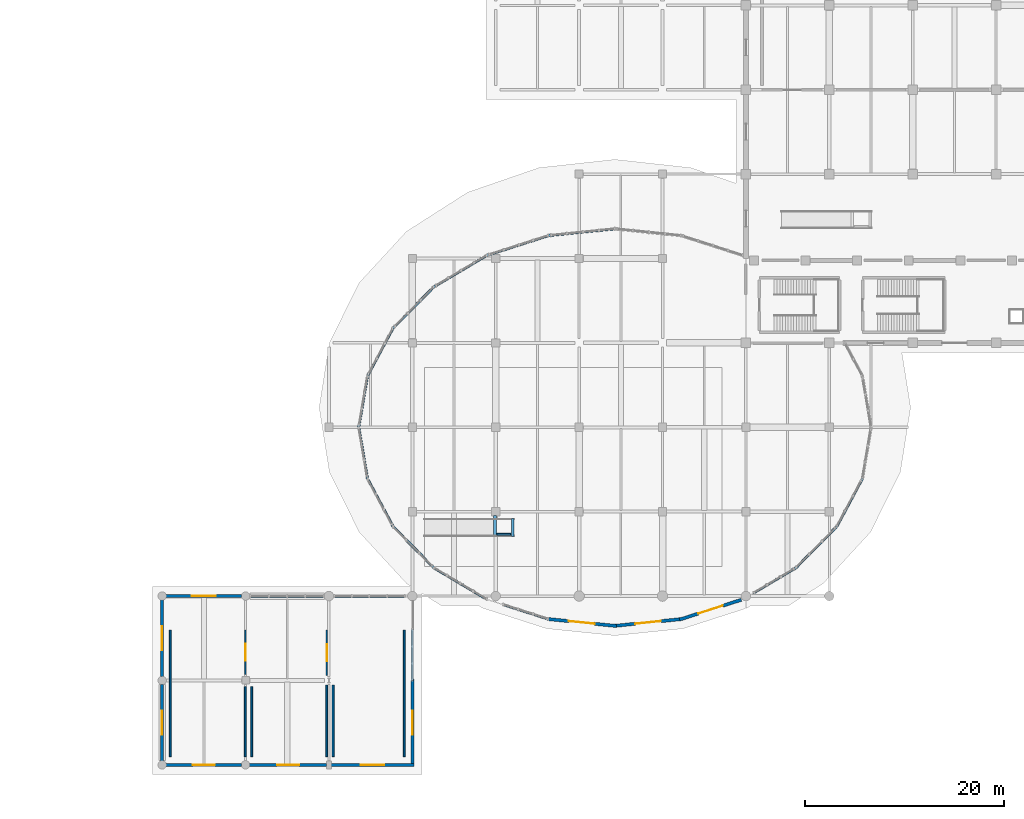
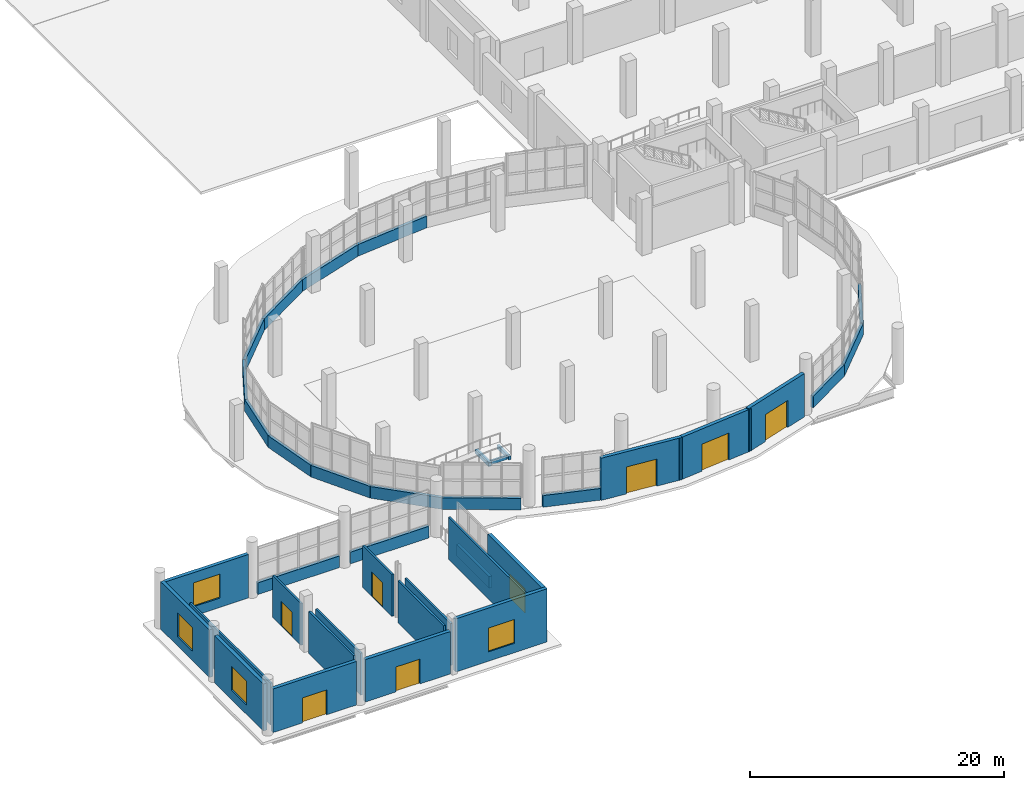
# One storey, part 86 of 107: 38 walls, 7 doors, 5 windows, 12 openings.
"""IFC4 building model written with IfcOpenShell, lengths in metres."""

import ifcopenshell
import ifcopenshell.guid

model = None  # the IFC model being written
_history = None  # IfcOwnerHistory: only IFC2X3 demands one
_inside = {}  # id of a spatial element -> (the spatial element, [elements in it])
_under = {}  # id of a project, library or spatial element -> (it, [spatial elements below it])
_declared = {}  # id of a project -> (the project, [libraries it declares])
_typed = {}  # id of a type object -> (the type object, [elements of that type])
_made_of = {}  # id of a material, layer set ... -> (it, [elements and type objects made of it])


def new_model(schema):
    """Start an empty IFC model of exactly this schema.

    Asked for "IFC4X3", IfcOpenShell would pick the latest addendum, in which some entities
    have other attributes; the version numbers below select the first issue.
    IFC2X3 requires an IfcOwnerHistory on every rooted entity: one is made here for all.
    """
    global model, _history
    if schema == "IFC4X3":
        model = ifcopenshell.file(schema_version=(4, 3, 0, 0))
    else:
        model = ifcopenshell.file(schema=schema)
    _inside.clear()
    _under.clear()
    _declared.clear()
    _typed.clear()
    _made_of.clear()
    _history = None
    if model.schema == "IFC2X3":
        org = make("IfcOrganization", Name="unknown")
        user = make(
            "IfcPersonAndOrganization",
            ThePerson=make("IfcPerson", FamilyName="unknown"),
            TheOrganization=org,
        )
        app = make(
            "IfcApplication",
            ApplicationDeveloper=org,
            Version="unknown",
            ApplicationFullName="unknown",
            ApplicationIdentifier="unknown",
        )
        _history = make(
            "IfcOwnerHistory",
            OwningUser=user,
            OwningApplication=app,
            ChangeAction="ADDED",
            CreationDate=0,
        )
    return model


def make(cls, **values):
    """One entity of the class cls with the attributes given. An attribute that is None is left unset."""
    return model.create_entity(
        cls, **{name: value for name, value in values.items() if value is not None}
    )


def rooted(cls, **values):
    """An entity with a GlobalId (a new one), such as an element, a storey or a relation."""
    return make(cls, GlobalId=ifcopenshell.guid.new(), OwnerHistory=_history, **values)


def si_unit(unit_type, name, prefix=None):
    """IfcSIUnit, for example si_unit("LENGTHUNIT", "METRE", prefix="MILLI")."""
    return make("IfcSIUnit", UnitType=unit_type, Prefix=prefix, Name=name)


def assignment(units):
    """IfcUnitAssignment: the units of a project."""
    return None if units is None else make("IfcUnitAssignment", Units=units)


def point(xyz):
    """IfcCartesianPoint."""
    return None if xyz is None else make("IfcCartesianPoint", Coordinates=xyz)


def direction(xyz):
    """IfcDirection."""
    return None if xyz is None else make("IfcDirection", DirectionRatios=xyz)


def frame(location, z_axis=None, x_axis=None):
    """IfcAxis2Placement3D, a coordinate frame: its origin and axes. An axis left out is left unset."""
    return make(
        "IfcAxis2Placement3D",
        Location=point(location),
        Axis=direction(z_axis),
        RefDirection=direction(x_axis),
    )


def frame_2d(location, x_axis=None):
    """IfcAxis2Placement2D, a coordinate frame in the plane: its origin and x axis."""
    return make(
        "IfcAxis2Placement2D", Location=point(location), RefDirection=direction(x_axis)
    )


def origin():
    """The frame at (0, 0, 0) with its axes left unset."""
    return frame((0.0, 0.0, 0.0))


def place(relative_to, where):
    """IfcLocalPlacement: puts the frame where relative to a parent placement (None: the world)."""
    return make(
        "IfcLocalPlacement", PlacementRelTo=relative_to, RelativePlacement=where
    )


def context(
    kind, dimensions, precision=None, world=None, true_north=None, identifier=None
):
    """IfcGeometricRepresentationContext, for example the 3D "Model" context."""
    return make(
        "IfcGeometricRepresentationContext",
        ContextIdentifier=identifier,
        ContextType=kind,
        CoordinateSpaceDimension=dimensions,
        Precision=precision,
        WorldCoordinateSystem=world,
        TrueNorth=true_north,
    )


def subcontext(parent, identifier, kind, view, scale=None):
    """IfcGeometricRepresentationSubContext, for example "Body" below "Model"."""
    return make(
        "IfcGeometricRepresentationSubContext",
        ContextIdentifier=identifier,
        ContextType=kind,
        ParentContext=parent,
        TargetScale=scale,
        TargetView=view,
    )


def project(units=None, contexts=None):
    """IfcProject with its units and contexts."""
    return rooted(
        "IfcProject",
        Name="project",
        RepresentationContexts=contexts,
        UnitsInContext=assignment(units),
    )


def spatial(cls, under=None, at=None, **own):
    """A site, building, storey or space (cls), placed at a placement, below another one or the project."""
    s = rooted(cls, ObjectPlacement=at, **own)
    if under is not None:
        _under.setdefault(under.id(), (under, []))[1].append(s)
    return s


def profile(cls, at=None, kind="AREA", **sizes):
    """A parametric profile (cls). Its sizes go by their IFC names, for example OverallWidth=200.0."""
    return make(cls, ProfileType=kind, Position=at, **sizes)


def rectangle(**sizes):
    """IfcRectangleProfileDef."""
    return profile("IfcRectangleProfileDef", **sizes)


def extrude(swept, where, along, depth):
    """IfcExtrudedAreaSolid: the profile swept, set in the frame where, extruded along a direction by depth."""
    return make(
        "IfcExtrudedAreaSolid",
        SweptArea=swept,
        Position=where,
        ExtrudedDirection=direction(along),
        Depth=depth,
    )


def shape(context_of_items, identifier, shape_type, items):
    """IfcShapeRepresentation: the items that make up one representation, for example the "Body"."""
    return make(
        "IfcShapeRepresentation",
        ContextOfItems=context_of_items,
        RepresentationIdentifier=identifier,
        RepresentationType=shape_type,
        Items=items,
    )


def material(Name=None, Category=None):
    """IfcMaterial."""
    return make("IfcMaterial", Name=Name, Category=Category)


def layer(
    of_material, thickness, ventilated=None, Name=None, Category=None, Priority=None
):
    """IfcMaterialLayer: one layer of a wall or slab, of a material (None: an air gap)."""
    return make(
        "IfcMaterialLayer",
        Material=of_material,
        LayerThickness=thickness,
        IsVentilated=ventilated,
        Name=Name,
        Category=Category,
        Priority=Priority,
    )


def layer_set(layers, Name=None):
    """IfcMaterialLayerSet."""
    return make("IfcMaterialLayerSet", MaterialLayers=layers, LayerSetName=Name)


def made_of(thing, what):
    """Note that an element or type object is made of a material, layer set ...; save() writes the relation."""
    if what is not None:
        _made_of.setdefault(what.id(), (what, []))[1].append(thing)
    return thing


def type_object(cls, material=None, **own):
    """A type object (cls), such as IfcWallType, which elements share."""
    return made_of(rooted(cls, **own), material)


def element(
    cls,
    number,
    at=None,
    inside=None,
    cuts=None,
    type_object=None,
    material=None,
    context=None,
    identifier="Body",
    shape_type=None,
    held_by="IfcProductDefinitionShape",
    body=None,
    shapes=None,
    **own,
):
    """One element of the class cls, such as IfcWall. Its Tag is "e" and its number.

    at: its placement. inside: the storey or other place that contains it. cuts: it is an
    opening in that element (IfcRelVoidsElement). A single representation is given by context,
    identifier, shape_type and body (its items); several are given by shapes. held_by: the class
    of the entity that holds the representations. save() writes the other relations.
    """
    e = rooted(cls, Tag="e%d" % number, ObjectPlacement=at, **own)
    if body is not None:
        shapes = [shape(context, identifier, shape_type, body)]
    if shapes is not None:
        e.Representation = make(held_by, Representations=shapes)
    if inside is not None:
        _inside.setdefault(inside.id(), (inside, []))[1].append(e)
    if cuts is not None:
        rooted(
            "IfcRelVoidsElement", RelatingBuildingElement=cuts, RelatedOpeningElement=e
        )
    if type_object is not None:
        _typed.setdefault(type_object.id(), (type_object, []))[1].append(e)
    return made_of(e, material)


def fill(opening, filler):
    """IfcRelFillsElement: the door or window that sits in an opening."""
    return rooted(
        "IfcRelFillsElement",
        RelatingOpeningElement=opening,
        RelatedBuildingElement=filler,
    )


def aggregate(whole, parts):
    """IfcRelAggregates: a whole, such as a stair, and the parts it consists of."""
    return rooted("IfcRelAggregates", RelatingObject=whole, RelatedObjects=parts)


def save(model, path):
    """Write the relations noted so far, then the file.

    IfcRelAggregates (storeys below a building ...), IfcRelContainedInSpatialStructure (elements
    in a storey), IfcRelDefinesByType, IfcRelAssociatesMaterial and IfcRelDeclares: one each for
    every whole, place, type object, material and project.
    """
    for whole, parts in _under.values():
        aggregate(whole, parts)
    for where, things in _inside.values():
        rooted(
            "IfcRelContainedInSpatialStructure",
            RelatedElements=things,
            RelatingStructure=where,
        )
    for kind, things in _typed.values():
        rooted("IfcRelDefinesByType", RelatedObjects=things, RelatingType=kind)
    for what, things in _made_of.values():
        rooted("IfcRelAssociatesMaterial", RelatedObjects=things, RelatingMaterial=what)
    for by, libraries in _declared.values():
        rooted("IfcRelDeclares", RelatingContext=by, RelatedDefinitions=libraries)
    model.write(path)


model = new_model("IFC4")

# Units and contexts
model_context = context("Model", 3, precision=1e-05, world=origin(), true_north=direction((0.0, 1.0)))
body_context = subcontext(model_context, "Body", "Model", "MODEL_VIEW")
ifc_project = project(units=[si_unit("LENGTHUNIT", "METRE"), si_unit("AREAUNIT", "SQUARE_METRE"), si_unit("VOLUMEUNIT", "CUBIC_METRE"), si_unit("PLANEANGLEUNIT", "RADIAN"), si_unit("MASSUNIT", "GRAM", prefix="KILO")], contexts=[model_context])

# Site, building, storey
site_placement = place(None, origin())
site = spatial("IfcSite", under=ifc_project, at=site_placement, CompositionType="ELEMENT")
building_placement = place(site_placement, origin())
building = spatial("IfcBuilding", under=site, at=building_placement, Name="Solvento Point Concert Hall", CompositionType="ELEMENT")
storey_placement = place(building_placement, origin())
storey = spatial("IfcBuildingStorey", under=building, at=storey_placement, Name="L00", CompositionType="ELEMENT", Elevation=0.0)

# Wall, opening, door
ifc_material_1 = material(Name="Acoustic Double-Stud Gypsum Partition")
ifc_layer_1 = layer(ifc_material_1, 0.179931640625)
ifc_layer_set_1 = layer_set([ifc_layer_1], Name="Acoustic Double-Stud Gypsum Partition")
wall_type_1 = type_object("IfcWallType", Name="AcousticPartition_180", PredefinedType="PARTITIONING", material=ifc_layer_set_1)
wall_1_placement = place(storey_placement, frame((23.97998046875, 13.580078125, 0.0), z_axis=(0.0, 0.0, 1.0), x_axis=(0.0, -1.0, 0.0)))
wall_1 = element("IfcWall", 1, at=wall_1_placement, inside=storey, type_object=wall_type_1, Name="Interior acoustic partition PW-63 L00", PredefinedType="PARTITIONING", context=body_context, shape_type="SweptSolid", body=[
    extrude(rectangle(XDim=4.455078125, YDim=0.179931640625, at=frame_2d((2.2275390625, 0.0))), origin(), (0.0, 0.0, 1.0), 4.0400390625),
])
opening_1_placement = place(wall_1_placement, frame((1.367431640625, 0.0, 0.0)))
opening_1 = element("IfcOpeningElement", 2, at=opening_1_placement, cuts=wall_1, Name="Opening DR-35", PredefinedType="OPENING", context=body_context, shape_type="SweptSolid", body=[
    extrude(rectangle(XDim=1.719970703125, YDim=2.360107421875, at=frame_2d((0.85986328125, 1.18017578125))), frame((0.0, 0.099853515625, 0.0), z_axis=(0.0, -1.0, 0.0), x_axis=(1.0, 0.0, 0.0)), (0.0, 0.0, 1.0), 0.199951171875),
])
ifc_material_2 = material(Name="Brazilian Hardwood Acoustic Door", Category="wood")
door_type_1 = type_object("IfcDoorType", Name="IntDoor_FoyerCafeRetail", OperationType="NOTDEFINED", PredefinedType="DOOR", material=ifc_material_2)
door_1_placement = place(opening_1_placement, origin())
door_1 = element("IfcDoor", 3, at=door_1_placement, inside=storey, type_object=door_type_1, Name="Interior door DR-35 L00", OperationType="SINGLE_SWING_RIGHT", OverallHeight=2.360107421875, OverallWidth=1.719970703125, PredefinedType="DOOR", context=body_context, shape_type="SweptSolid", body=[
    extrude(rectangle(XDim=1.719970703125, YDim=2.360107421875, at=frame_2d((0.85986328125, 1.18017578125))), frame((0.0, 0.02490234375, 0.0), z_axis=(0.0, -1.0, 0.0), x_axis=(1.0, 0.0, 0.0)), (0.0, 0.0, 1.0), 0.050048828125),
])
fill(opening_1, door_1)

# Walls
wall_2_placement = place(storey_placement, frame((23.97998046875, 7.875, 0.0), z_axis=(0.0, 0.0, 1.0), x_axis=(0.0, -1.0, 0.0)))
element("IfcWall", 4, at=wall_2_placement, inside=storey, type_object=wall_type_1, Name="Interior acoustic partition PW-63 L00", PredefinedType="PARTITIONING", context=body_context, shape_type="SweptSolid", body=[
    extrude(rectangle(XDim=7.054931640625, YDim=0.179931640625, at=frame_2d((3.52734375, 0.0))), origin(), (0.0, 0.0, 1.0), 4.0400390625),
])
wall_3_placement = place(storey_placement, frame((16.419921875, 0.820068359375, 0.0), z_axis=(0.0, 0.0, 1.0), x_axis=(0.0, 1.0, 0.0)))
element("IfcWall", 5, at=wall_3_placement, inside=storey, type_object=wall_type_1, Name="Interior acoustic partition PW-63 L00", PredefinedType="PARTITIONING", context=body_context, shape_type="SweptSolid", body=[
    extrude(rectangle(XDim=12.760009765625, YDim=0.179931640625, at=frame_2d((6.3798828125, 0.0))), origin(), (0.0, 0.0, 1.0), 4.0400390625),
])

# Wall, opening, door
wall_4_placement = place(storey_placement, frame((32.179931640625, 13.580078125, 0.0), z_axis=(0.0, 0.0, 1.0), x_axis=(0.0, -1.0, 0.0)))
wall_4 = element("IfcWall", 6, at=wall_4_placement, inside=storey, type_object=wall_type_1, Name="Interior acoustic partition PW-63 L00", PredefinedType="PARTITIONING", context=body_context, shape_type="SweptSolid", body=[
    extrude(rectangle(XDim=4.5986328125, YDim=0.179931640625, at=frame_2d((2.29931640625, 0.0))), origin(), (0.0, 0.0, 1.0), 4.0400390625),
])
opening_2_placement = place(wall_4_placement, frame((1.439208984375, 0.0, 0.0)))
opening_2 = element("IfcOpeningElement", 7, at=opening_2_placement, cuts=wall_4, Name="Opening DR-35", PredefinedType="OPENING", context=body_context, shape_type="SweptSolid", body=[
    extrude(rectangle(XDim=1.719970703125, YDim=2.360107421875, at=frame_2d((0.85986328125, 1.18017578125))), frame((0.0, 0.099853515625, 0.0), z_axis=(0.0, -1.0, 0.0), x_axis=(1.0, 0.0, 0.0)), (0.0, 0.0, 1.0), 0.199951171875),
])
door_2_placement = place(opening_2_placement, origin())
door_2 = element("IfcDoor", 8, at=door_2_placement, inside=storey, type_object=door_type_1, Name="Interior door DR-35 L00", OperationType="SINGLE_SWING_LEFT", OverallHeight=2.360107421875, OverallWidth=1.719970703125, PredefinedType="DOOR", context=body_context, shape_type="SweptSolid", body=[
    extrude(rectangle(XDim=1.719970703125, YDim=2.360107421875, at=frame_2d((0.85986328125, 1.18017578125))), frame((0.0, 0.02490234375, 0.0), z_axis=(0.0, -1.0, 0.0), x_axis=(1.0, 0.0, 0.0)), (0.0, 0.0, 1.0), 0.050048828125),
])
fill(opening_2, door_2)

# Walls
wall_5_placement = place(storey_placement, frame((32.179931640625, 8.0185546875, 0.0), z_axis=(0.0, 0.0, 1.0), x_axis=(0.0, -1.0, 0.0)))
element("IfcWall", 9, at=wall_5_placement, inside=storey, type_object=wall_type_1, Name="Interior acoustic partition PW-63 L00", PredefinedType="PARTITIONING", context=body_context, shape_type="SweptSolid", body=[
    extrude(rectangle(XDim=7.198486328125, YDim=0.179931640625, at=frame_2d((3.59912109375, 0.0))), origin(), (0.0, 0.0, 1.0), 4.0400390625),
])
wall_6_placement = place(storey_placement, frame((24.6201171875, 0.820068359375, 0.0), z_axis=(0.0, 0.0, 1.0), x_axis=(0.0, 1.0, 0.0)))
element("IfcWall", 10, at=wall_6_placement, inside=storey, type_object=wall_type_1, Name="Interior acoustic partition PW-63 L00", PredefinedType="PARTITIONING", context=body_context, shape_type="SweptSolid", body=[
    extrude(rectangle(XDim=7.054931640625, YDim=0.179931640625, at=frame_2d((3.52734375, 0.0))), origin(), (0.0, 0.0, 1.0), 4.0400390625),
])
wall_7_placement = place(storey_placement, frame((39.97998046875, 13.580078125, 0.0), z_axis=(0.0, 0.0, 1.0), x_axis=(0.0, -1.0, 0.0)))
element("IfcWall", 11, at=wall_7_placement, inside=storey, type_object=wall_type_1, Name="Interior acoustic partition PW-63 L00", PredefinedType="PARTITIONING", context=body_context, shape_type="SweptSolid", body=[
    extrude(rectangle(XDim=12.760009765625, YDim=0.179931640625, at=frame_2d((6.3798828125, 0.0))), origin(), (0.0, 0.0, 1.0), 4.0400390625),
])
wall_8_placement = place(storey_placement, frame((32.820068359375, 0.820068359375, 0.0), z_axis=(0.0, 0.0, 1.0), x_axis=(0.0, 1.0, 0.0)))
element("IfcWall", 12, at=wall_8_placement, inside=storey, type_object=wall_type_1, Name="Interior acoustic partition PW-63 L00", PredefinedType="PARTITIONING", context=body_context, shape_type="SweptSolid", body=[
    extrude(rectangle(XDim=7.198486328125, YDim=0.179931640625, at=frame_2d((3.59912109375, 0.0))), origin(), (0.0, 0.0, 1.0), 4.0400390625),
])
ifc_material_3 = material(Name="Concrete C40/50", Category="concrete")
ifc_layer_2 = layer(ifc_material_3, 0.300048828125)
ifc_layer_set_2 = layer_set([ifc_layer_2], Name="Concrete C40/50")
wall_type_2 = type_object("IfcWallType", Name="CoreShearWall_300", PredefinedType="SHEAR", material=ifc_layer_set_2)
wall_9_placement = place(storey_placement, frame((49.1201171875, 22.97998046875, 0.0), z_axis=(0.0, 0.0, 1.0), x_axis=(0.0, 1.0, 0.0)))
element("IfcWall", 13, at=wall_9_placement, inside=storey, type_object=wall_type_2, Name="Ramp landing stem wall W-SH1 RMP-F1", PredefinedType="SHEAR", context=body_context, shape_type="SweptSolid", body=[
    extrude(rectangle(XDim=2.14501953125, YDim=0.280029296875, at=frame_2d((1.072509765625, 0.0))), origin(), (0.0, 0.0, 1.0), 0.3701171875),
])
wall_10_placement = place(storey_placement, frame((50.909912109375, 22.97998046875, 0.0), z_axis=(0.0, 0.0, 1.0), x_axis=(0.0, 1.0, 0.0)))
element("IfcWall", 14, at=wall_10_placement, inside=storey, type_object=wall_type_2, Name="Ramp landing stem wall W-SH1 RMP-F1", PredefinedType="SHEAR", context=body_context, shape_type="SweptSolid", body=[
    extrude(rectangle(XDim=1.840087890625, YDim=0.219970703125, at=frame_2d((0.919921875, 0.0))), origin(), (0.0, 0.0, 1.0), 0.3701171875),
])
wall_11_placement = place(storey_placement, frame((49.300048828125, 23.219970703125, 0.0), z_axis=(0.0, 0.0, 1.0), x_axis=(1.0, 0.0, 0.0)))
element("IfcWall", 15, at=wall_11_placement, inside=storey, type_object=wall_type_2, Name="Ramp landing stem wall W-SH1 RMP-F1", PredefinedType="SHEAR", context=body_context, shape_type="SweptSolid", body=[
    extrude(rectangle(XDim=1.429931640625, YDim=0.199951171875, at=frame_2d((0.71484375, 0.0))), origin(), (0.0, 0.0, 1.0), 0.3701171875),
])

# Wall, opening, door
ifc_material_4 = material(Name="Concrete C40/50", Category="concrete")
ifc_layer_3 = layer(ifc_material_4, 0.320068359375)
ifc_layer_set_3 = layer_set([ifc_layer_3], Name="Concrete C40/50")
wall_type_3 = type_object("IfcWallType", Name="ExtWall_V2_Ring_320", PredefinedType="SOLIDWALL", material=ifc_layer_set_3)
wall_12_placement = place(storey_placement, frame((61.359130859375, 13.98388671875, 0.0), z_axis=(0.0, 0.0, 1.0), x_axis=(-0.994834070978, 0.101514389235, 0.0)))
wall_12 = element("IfcWall", 16, at=wall_12_placement, inside=storey, type_object=wall_type_3, Name="Exterior architectural concrete wall EW-71 L00", PredefinedType="SOLIDWALL", context=body_context, shape_type="SweptSolid", body=[
    extrude(rectangle(XDim=7.0322265625, YDim=0.320068359375, at=frame_2d((3.51611328125, 0.0))), origin(), (0.0, 0.0, 1.0), 4.06201171875),
])
opening_3_placement = place(wall_12_placement, frame((2.216064453125, 0.0, 0.0)))
opening_3 = element("IfcOpeningElement", 17, at=opening_3_placement, cuts=wall_12, Name="Opening ED-01", PredefinedType="OPENING", context=body_context, shape_type="SweptSolid", body=[
    extrude(rectangle(XDim=2.60009765625, YDim=2.60009765625, at=frame_2d((1.300048828125, 1.300048828125))), frame((0.0, 0.169921875, 0.0), z_axis=(0.0, -1.0, 0.0), x_axis=(1.0, 0.0, 0.0)), (0.0, 0.0, 1.0), 0.340087890625),
])
ifc_material_5 = material(Name="Anodized Bronze Aluminium", Category="aluminium")
door_type_2 = type_object("IfcDoorType", Name="MainEntranceDoor_ED-01", OperationType="DOUBLE_DOOR_SINGLE_SWING", PredefinedType="DOOR", material=ifc_material_5)
door_3_placement = place(opening_3_placement, origin())
door_3 = element("IfcDoor", 18, at=door_3_placement, inside=storey, type_object=door_type_2, Name="Main entrance grand foyer double door ED-01", OperationType="DOUBLE_DOOR_SINGLE_SWING", OverallHeight=2.60009765625, OverallWidth=2.60009765625, PredefinedType="DOOR", context=body_context, shape_type="SweptSolid", body=[
    extrude(rectangle(XDim=2.60009765625, YDim=2.60009765625, at=frame_2d((1.300048828125, 1.300048828125))), frame((0.0, 0.02490234375, 0.0), z_axis=(0.0, -1.0, 0.0), x_axis=(1.0, 0.0, 0.0)), (0.0, 0.0, 1.0), 0.050048828125),
])
fill(opening_3, door_3)

wall_13_placement = place(storey_placement, frame((73.945068359375, 16.629638671875, 0.0), z_axis=(0.0, 0.0, 1.0), x_axis=(-0.952126889064, -0.305703102898, 0.0)))
wall_13 = element("IfcWall", 19, at=wall_13_placement, inside=storey, type_object=wall_type_3, Name="Exterior architectural concrete wall EW-71 L00", PredefinedType="SOLIDWALL", context=body_context, shape_type="SweptSolid", body=[
    extrude(rectangle(XDim=6.53271484375, YDim=0.320068359375, at=frame_2d((3.266357421875, 0.0))), origin(), (0.0, 0.0, 1.0), 4.177001953125),
])
opening_4_placement = place(wall_13_placement, frame((1.96630859375, 0.0, 0.0)))
opening_4 = element("IfcOpeningElement", 20, at=opening_4_placement, cuts=wall_13, Name="Opening ED-01", PredefinedType="OPENING", context=body_context, shape_type="SweptSolid", body=[
    extrude(rectangle(XDim=2.60009765625, YDim=2.60009765625, at=frame_2d((1.300048828125, 1.300048828125))), frame((0.0, 0.169921875, 0.0), z_axis=(0.0, -1.0, 0.0), x_axis=(1.0, 0.0, 0.0)), (0.0, 0.0, 1.0), 0.340087890625),
])
door_4_placement = place(opening_4_placement, origin())
door_4 = element("IfcDoor", 21, at=door_4_placement, inside=storey, type_object=door_type_2, Name="Main entrance grand foyer double door ED-01", OperationType="DOUBLE_DOOR_SINGLE_SWING", OverallHeight=2.60009765625, OverallWidth=2.60009765625, PredefinedType="DOOR", context=body_context, shape_type="SweptSolid", body=[
    extrude(rectangle(XDim=2.60009765625, YDim=2.60009765625, at=frame_2d((1.300048828125, 1.300048828125))), frame((0.0, 0.02490234375, 0.0), z_axis=(0.0, -1.0, 0.0), x_axis=(1.0, 0.0, 0.0)), (0.0, 0.0, 1.0), 0.050048828125),
])
fill(opening_4, door_4)

wall_14_placement = place(storey_placement, frame((68.03662109375, 14.69775390625, 0.0), z_axis=(0.0, 0.0, 1.0), x_axis=(-0.994834070978, -0.101514389235, 0.0)))
wall_14 = element("IfcWall", 22, at=wall_14_placement, inside=storey, type_object=wall_type_3, Name="Exterior architectural concrete wall EW-71 L00", PredefinedType="SOLIDWALL", context=body_context, shape_type="SweptSolid", body=[
    extrude(rectangle(XDim=7.0322265625, YDim=0.320068359375, at=frame_2d((3.51611328125, 0.0))), origin(), (0.0, 0.0, 1.0), 4.06201171875),
])
opening_5_placement = place(wall_14_placement, frame((2.216064453125, 0.0, 0.0)))
opening_5 = element("IfcOpeningElement", 23, at=opening_5_placement, cuts=wall_14, Name="Opening ED-01", PredefinedType="OPENING", context=body_context, shape_type="SweptSolid", body=[
    extrude(rectangle(XDim=2.60009765625, YDim=2.60009765625, at=frame_2d((1.300048828125, 1.300048828125))), frame((0.0, 0.169921875, 0.0), z_axis=(0.0, -1.0, 0.0), x_axis=(1.0, 0.0, 0.0)), (0.0, 0.0, 1.0), 0.340087890625),
])
door_5_placement = place(opening_5_placement, origin())
door_5 = element("IfcDoor", 24, at=door_5_placement, inside=storey, type_object=door_type_2, Name="Main entrance grand foyer double door ED-01", OperationType="DOUBLE_DOOR_SINGLE_SWING", OverallHeight=2.60009765625, OverallWidth=2.60009765625, PredefinedType="DOOR", context=body_context, shape_type="SweptSolid", body=[
    extrude(rectangle(XDim=2.60009765625, YDim=2.60009765625, at=frame_2d((1.300048828125, 1.300048828125))), frame((0.0, 0.02490234375, 0.0), z_axis=(0.0, -1.0, 0.0), x_axis=(1.0, 0.0, 0.0)), (0.0, 0.0, 1.0), 0.050048828125),
])
fill(opening_5, door_5)

# Wall, opening, window
wall_15_placement = place(storey_placement, frame((15.60009765625, 0.405029296875, 0.0), z_axis=(0.0, 0.0, 1.0), x_axis=(0.0, 1.0, 0.0)))
wall_15 = element("IfcWall", 25, at=wall_15_placement, inside=storey, type_object=wall_type_3, Name="Exterior architectural concrete wall EW-71 L00", PredefinedType="SOLIDWALL", context=body_context, shape_type="SweptSolid", body=[
    extrude(rectangle(XDim=7.68994140625, YDim=0.320068359375, at=frame_2d((3.844970703125, 0.0))), origin(), (0.0, 0.0, 1.0), 4.51611328125),
])
opening_6_placement = place(wall_15_placement, frame((2.64501953125, 0.0, 0.89990234375)))
opening_6 = element("IfcOpeningElement", 26, at=opening_6_placement, cuts=wall_15, Name="Opening WN-53", PredefinedType="OPENING", context=body_context, shape_type="SweptSolid", body=[
    extrude(rectangle(XDim=2.39990234375, YDim=2.300048828125, at=frame_2d((1.199951171875, 1.14990234375))), frame((0.0, 0.169921875, 0.0), z_axis=(0.0, -1.0, 0.0), x_axis=(1.0, 0.0, 0.0)), (0.0, 0.0, 1.0), 0.340087890625),
])
ifc_material_6 = material(Name="Hurricane Laminated Low-E Glass", Category="glass")
window_type = type_object("IfcWindowType", Name="Win_V2_BoxOffice_L00", PartitioningType="SINGLE_PANEL", PredefinedType="WINDOW", material=ifc_material_6)
window_1_placement = place(opening_6_placement, origin())
window_1 = element("IfcWindow", 27, at=window_1_placement, inside=storey, type_object=window_type, Name="Impact acoustic window WN-53", OverallHeight=2.300048828125, OverallWidth=2.39990234375, PartitioningType="SINGLE_PANEL", PredefinedType="WINDOW", context=body_context, shape_type="SweptSolid", body=[
    extrude(rectangle(XDim=2.39990234375, YDim=2.300048828125, at=frame_2d((1.199951171875, 1.14990234375))), frame((0.0, 0.030029296875, 0.0), z_axis=(0.0, -1.0, 0.0), x_axis=(1.0, 0.0, 0.0)), (0.0, 0.0, 1.0), 0.06005859375),
])
fill(opening_6, window_1)

wall_16_placement = place(storey_placement, frame((15.60009765625, 8.905029296875, 0.0), z_axis=(0.0, 0.0, 1.0), x_axis=(0.0, 1.0, 0.0)))
wall_16 = element("IfcWall", 28, at=wall_16_placement, inside=storey, type_object=wall_type_3, Name="Exterior architectural concrete wall EW-71 L00", PredefinedType="SOLIDWALL", context=body_context, shape_type="SweptSolid", body=[
    extrude(rectangle(XDim=7.68994140625, YDim=0.320068359375, at=frame_2d((3.844970703125, 0.0))), origin(), (0.0, 0.0, 1.0), 4.574951171875),
])
opening_7_placement = place(wall_16_placement, frame((2.64501953125, 0.0, 0.89990234375)))
opening_7 = element("IfcOpeningElement", 29, at=opening_7_placement, cuts=wall_16, Name="Opening WN-53", PredefinedType="OPENING", context=body_context, shape_type="SweptSolid", body=[
    extrude(rectangle(XDim=2.39990234375, YDim=2.300048828125, at=frame_2d((1.199951171875, 1.14990234375))), frame((0.0, 0.169921875, 0.0), z_axis=(0.0, -1.0, 0.0), x_axis=(1.0, 0.0, 0.0)), (0.0, 0.0, 1.0), 0.340087890625),
])
window_2_placement = place(opening_7_placement, origin())
window_2 = element("IfcWindow", 30, at=window_2_placement, inside=storey, type_object=window_type, Name="Impact acoustic window WN-53", OverallHeight=2.300048828125, OverallWidth=2.39990234375, PartitioningType="SINGLE_PANEL", PredefinedType="WINDOW", context=body_context, shape_type="SweptSolid", body=[
    extrude(rectangle(XDim=2.39990234375, YDim=2.300048828125, at=frame_2d((1.199951171875, 1.14990234375))), frame((0.0, 0.030029296875, 0.0), z_axis=(0.0, -1.0, 0.0), x_axis=(1.0, 0.0, 0.0)), (0.0, 0.0, 1.0), 0.06005859375),
])
fill(opening_7, window_2)

wall_17_placement = place(storey_placement, frame((16.0048828125, 17.0, 0.0), z_axis=(0.0, 0.0, 1.0), x_axis=(1.0, 0.0, 0.0)))
wall_17 = element("IfcWall", 31, at=wall_17_placement, inside=storey, type_object=wall_type_3, Name="Exterior architectural concrete wall EW-71 L00", PredefinedType="SOLIDWALL", context=body_context, shape_type="SweptSolid", body=[
    extrude(rectangle(XDim=7.590087890625, YDim=0.320068359375, at=frame_2d((3.794921875, 0.0))), origin(), (0.0, 0.0, 1.0), 4.18408203125),
])
opening_8_placement = place(wall_17_placement, frame((2.594970703125, 0.0, 0.89990234375)))
opening_8 = element("IfcOpeningElement", 32, at=opening_8_placement, cuts=wall_17, Name="Opening WN-53", PredefinedType="OPENING", context=body_context, shape_type="SweptSolid", body=[
    extrude(rectangle(XDim=2.39990234375, YDim=2.300048828125, at=frame_2d((1.199951171875, 1.14990234375))), frame((0.0, 0.169921875, 0.0), z_axis=(0.0, -1.0, 0.0), x_axis=(1.0, 0.0, 0.0)), (0.0, 0.0, 1.0), 0.340087890625),
])
window_3_placement = place(opening_8_placement, origin())
window_3 = element("IfcWindow", 33, at=window_3_placement, inside=storey, type_object=window_type, Name="Impact acoustic window WN-53", OverallHeight=2.300048828125, OverallWidth=2.39990234375, PartitioningType="SINGLE_PANEL", PredefinedType="WINDOW", context=body_context, shape_type="SweptSolid", body=[
    extrude(rectangle(XDim=2.39990234375, YDim=2.300048828125, at=frame_2d((1.199951171875, 1.14990234375))), frame((0.0, 0.030029296875, 0.0), z_axis=(0.0, -1.0, 0.0), x_axis=(1.0, 0.0, 0.0)), (0.0, 0.0, 1.0), 0.06005859375),
])
fill(opening_8, window_3)

wall_18_placement = place(storey_placement, frame((40.800048828125, 8.659912109375, 0.0), z_axis=(0.0, 0.0, 1.0), x_axis=(0.0, -1.0, 0.0)))
wall_18 = element("IfcWall", 34, at=wall_18_placement, inside=storey, type_object=wall_type_3, Name="Exterior architectural concrete wall EW-71 L00", PredefinedType="SOLIDWALL", context=body_context, shape_type="SweptSolid", body=[
    extrude(rectangle(XDim=8.81982421875, YDim=0.320068359375, at=frame_2d((4.409912109375, 0.0))), origin(), (0.0, 0.0, 1.0), 5.1201171875),
])
opening_9_placement = place(wall_18_placement, frame((3.2099609375, 0.0, 0.89990234375)))
opening_9 = element("IfcOpeningElement", 35, at=opening_9_placement, cuts=wall_18, Name="Opening WN-53", PredefinedType="OPENING", context=body_context, shape_type="SweptSolid", body=[
    extrude(rectangle(XDim=2.39990234375, YDim=2.300048828125, at=frame_2d((1.199951171875, 1.14990234375))), frame((0.0, 0.169921875, 0.0), z_axis=(0.0, -1.0, 0.0), x_axis=(1.0, 0.0, 0.0)), (0.0, 0.0, 1.0), 0.340087890625),
])
window_4_placement = place(opening_9_placement, origin())
window_4 = element("IfcWindow", 36, at=window_4_placement, inside=storey, type_object=window_type, Name="Impact acoustic window WN-53", OverallHeight=2.300048828125, OverallWidth=2.39990234375, PartitioningType="SINGLE_PANEL", PredefinedType="WINDOW", context=body_context, shape_type="SweptSolid", body=[
    extrude(rectangle(XDim=2.39990234375, YDim=2.300048828125, at=frame_2d((1.199951171875, 1.14990234375))), frame((0.0, 0.030029296875, 0.0), z_axis=(0.0, -1.0, 0.0), x_axis=(1.0, 0.0, 0.0)), (0.0, 0.0, 1.0), 0.06005859375),
])
fill(opening_9, window_4)

# Wall, opening, door
wall_19_placement = place(storey_placement, frame((23.594970703125, 0.0, 0.0), z_axis=(0.0, 0.0, 1.0), x_axis=(-1.0, 0.0, 0.0)))
wall_19 = element("IfcWall", 37, at=wall_19_placement, inside=storey, type_object=wall_type_3, Name="Exterior architectural concrete wall EW-71 L00", PredefinedType="SOLIDWALL", context=body_context, shape_type="SweptSolid", body=[
    extrude(rectangle(XDim=7.590087890625, YDim=0.320068359375, at=frame_2d((3.794921875, 0.0))), origin(), (0.0, 0.0, 1.0), 4.197021484375),
])
opening_10_placement = place(wall_19_placement, frame((2.695068359375, 0.0, 0.0)))
opening_10 = element("IfcOpeningElement", 38, at=opening_10_placement, cuts=wall_19, Name="Opening ED-02", PredefinedType="OPENING", context=body_context, shape_type="SweptSolid", body=[
    extrude(rectangle(XDim=2.199951171875, YDim=2.39990234375, at=frame_2d((1.10009765625, 1.199951171875))), frame((0.0, 0.169921875, 0.0), z_axis=(0.0, -1.0, 0.0), x_axis=(1.0, 0.0, 0.0)), (0.0, 0.0, 1.0), 0.340087890625),
])
ifc_material_7 = material(Name="Anodized Bronze Aluminium", Category="aluminium")
door_type_3 = type_object("IfcDoorType", Name="MainEntranceDoor_ED-02", OperationType="DOUBLE_DOOR_SINGLE_SWING", PredefinedType="DOOR", material=ifc_material_7)
door_6_placement = place(opening_10_placement, origin())
door_6 = element("IfcDoor", 39, at=door_6_placement, inside=storey, type_object=door_type_3, Name="Colonnade box-office entrance double door ED-02", OperationType="DOUBLE_DOOR_SINGLE_SWING", OverallHeight=2.39990234375, OverallWidth=2.199951171875, PredefinedType="DOOR", context=body_context, shape_type="SweptSolid", body=[
    extrude(rectangle(XDim=2.199951171875, YDim=2.39990234375, at=frame_2d((1.10009765625, 1.199951171875))), frame((0.0, 0.02490234375, 0.0), z_axis=(0.0, -1.0, 0.0), x_axis=(1.0, 0.0, 0.0)), (0.0, 0.0, 1.0), 0.050048828125),
])
fill(opening_10, door_6)

wall_20_placement = place(storey_placement, frame((32.169921875, 0.0, 0.0), z_axis=(0.0, 0.0, 1.0), x_axis=(-1.0, 0.0, 0.0)))
wall_20 = element("IfcWall", 40, at=wall_20_placement, inside=storey, type_object=wall_type_3, Name="Exterior architectural concrete wall EW-71 L00", PredefinedType="SOLIDWALL", context=body_context, shape_type="SweptSolid", body=[
    extrude(rectangle(XDim=7.764892578125, YDim=0.320068359375, at=frame_2d((3.88232421875, 0.0))), origin(), (0.0, 0.0, 1.0), 4.077880859375),
])
opening_11_placement = place(wall_20_placement, frame((2.782470703125, 0.0, 0.0)))
opening_11 = element("IfcOpeningElement", 41, at=opening_11_placement, cuts=wall_20, Name="Opening ED-02", PredefinedType="OPENING", context=body_context, shape_type="SweptSolid", body=[
    extrude(rectangle(XDim=2.199951171875, YDim=2.39990234375, at=frame_2d((1.10009765625, 1.199951171875))), frame((0.0, 0.169921875, 0.0), z_axis=(0.0, -1.0, 0.0), x_axis=(1.0, 0.0, 0.0)), (0.0, 0.0, 1.0), 0.340087890625),
])
door_7_placement = place(opening_11_placement, origin())
door_7 = element("IfcDoor", 42, at=door_7_placement, inside=storey, type_object=door_type_3, Name="Colonnade box-office entrance double door ED-02", OperationType="DOUBLE_DOOR_SINGLE_SWING", OverallHeight=2.39990234375, OverallWidth=2.199951171875, PredefinedType="DOOR", context=body_context, shape_type="SweptSolid", body=[
    extrude(rectangle(XDim=2.199951171875, YDim=2.39990234375, at=frame_2d((1.10009765625, 1.199951171875))), frame((0.0, 0.02490234375, 0.0), z_axis=(0.0, -1.0, 0.0), x_axis=(1.0, 0.0, 0.0)), (0.0, 0.0, 1.0), 0.050048828125),
])
fill(opening_11, door_7)

# Wall, opening, window
wall_21_placement = place(storey_placement, frame((40.9599609375, 0.0, 0.0), z_axis=(0.0, 0.0, 1.0), x_axis=(-1.0, 0.0, 0.0)))
wall_21 = element("IfcWall", 43, at=wall_21_placement, inside=storey, type_object=wall_type_3, Name="Exterior architectural concrete wall EW-71 L00", PredefinedType="SOLIDWALL", context=body_context, shape_type="SweptSolid", body=[
    extrude(rectangle(XDim=8.330078125, YDim=0.320068359375, at=frame_2d((4.1650390625, 0.0))), origin(), (0.0, 0.0, 1.0), 5.1201171875),
])
opening_12_placement = place(wall_21_placement, frame((2.965087890625, 0.0, 0.89990234375)))
opening_12 = element("IfcOpeningElement", 44, at=opening_12_placement, cuts=wall_21, Name="Opening WN-53", PredefinedType="OPENING", context=body_context, shape_type="SweptSolid", body=[
    extrude(rectangle(XDim=2.39990234375, YDim=2.300048828125, at=frame_2d((1.199951171875, 1.14990234375))), frame((0.0, 0.169921875, 0.0), z_axis=(0.0, -1.0, 0.0), x_axis=(1.0, 0.0, 0.0)), (0.0, 0.0, 1.0), 0.340087890625),
])
window_5_placement = place(opening_12_placement, origin())
window_5 = element("IfcWindow", 45, at=window_5_placement, inside=storey, type_object=window_type, Name="Impact acoustic window WN-53", OverallHeight=2.300048828125, OverallWidth=2.39990234375, PartitioningType="SINGLE_PANEL", PredefinedType="WINDOW", context=body_context, shape_type="SweptSolid", body=[
    extrude(rectangle(XDim=2.39990234375, YDim=2.300048828125, at=frame_2d((1.199951171875, 1.14990234375))), frame((0.0, 0.030029296875, 0.0), z_axis=(0.0, -1.0, 0.0), x_axis=(1.0, 0.0, 0.0)), (0.0, 0.0, 1.0), 0.06005859375),
])
fill(opening_12, window_5)

# Walls
ifc_material_8 = material(Name="Concrete C40/50", Category="concrete")
ifc_layer_4 = layer(ifc_material_8, 0.260009765625)
ifc_layer_set_4 = layer_set([ifc_layer_4], Name="Concrete C40/50")
wall_type_4 = type_object("IfcWallType", Name="Parapet_Ring_260", PredefinedType="PARAPET", material=ifc_layer_set_4)
wall_22_placement = place(storey_placement, frame((54.5224609375, 14.681396484375, 0.0), z_axis=(0.0, 0.0, 1.0), x_axis=(-0.952109368113, 0.305757667364, 0.0)))
element("IfcWall", 46, at=wall_22_placement, inside=storey, type_object=wall_type_4, Name="Sliding elliptical white concrete ring spandrel PR-01 L00", PredefinedType="PARAPET", context=body_context, shape_type="SweptSolid", body=[
    extrude(rectangle(XDim=4.8076171875, YDim=0.260009765625, at=frame_2d((2.40380859375, 0.0))), origin(), (0.0, 0.0, 1.0), 1.1201171875),
])
wall_23_placement = place(storey_placement, frame((48.300048828125, 16.679443359375, 0.0), z_axis=(0.0, 0.0, 1.0), x_axis=(-0.859447761774, 0.51122357612, 0.0)))
element("IfcWall", 47, at=wall_23_placement, inside=storey, type_object=wall_type_4, Name="Sliding elliptical white concrete ring spandrel PR-01 L00", PredefinedType="PARAPET", context=body_context, shape_type="SweptSolid", body=[
    extrude(rectangle(XDim=6.21728515625, YDim=0.260009765625, at=frame_2d((3.108642578125, 0.0))), origin(), (0.0, 0.0, 1.0), 1.1201171875),
])
wall_24_placement = place(storey_placement, frame((42.95654296875, 19.85791015625, 0.0), z_axis=(0.0, 0.0, 1.0), x_axis=(-0.703495092741, 0.710700115723, 0.0)))
element("IfcWall", 48, at=wall_24_placement, inside=storey, type_object=wall_type_4, Name="Sliding elliptical white concrete ring spandrel PR-01 L00", PredefinedType="PARAPET", context=body_context, shape_type="SweptSolid", body=[
    extrude(rectangle(XDim=5.828125, YDim=0.260009765625, at=frame_2d((2.9140625, 0.0))), origin(), (0.0, 0.0, 1.0), 1.1201171875),
])
wall_25_placement = place(storey_placement, frame((38.8564453125, 24.0, 0.0), z_axis=(0.0, 0.0, 1.0), x_axis=(-0.471280883903, 0.881983179243, 0.0)))
element("IfcWall", 49, at=wall_25_placement, inside=storey, type_object=wall_type_4, Name="Sliding elliptical white concrete ring spandrel PR-01 L00", PredefinedType="PARAPET", context=body_context, shape_type="SweptSolid", body=[
    extrude(rectangle(XDim=5.468994140625, YDim=0.260009765625, at=frame_2d((2.734375, 0.0))), origin(), (0.0, 0.0, 1.0), 1.1201171875),
])
for number, where, z_axis, x_axis, name in (
    (50, (36.279052734375, 28.823486328125, 0.0), (0.0, 0.0, 1.0), (-0.167436870311, 0.985882799556, 0.0), "Sliding elliptical white concrete ring spandrel PR-01 L00"),
    (51, (35.39990234375, 34.0, 0.0), (0.0, 0.0, 1.0), (0.167436870311, 0.985882799556, 0.0), "Sliding elliptical white concrete ring spandrel PR-01 L00"),
):
    element("IfcWall", number, at=place(storey_placement, frame(where, z_axis=z_axis, x_axis=x_axis)), inside=storey, type_object=wall_type_4, Name=name, PredefinedType="PARAPET", context=body_context, shape_type="SweptSolid", body=[
        extrude(rectangle(XDim=5.250732421875, YDim=0.260009765625, at=frame_2d((2.62548828125, 0.0))), origin(), (0.0, 0.0, 1.0), 1.1201171875),
    ])
wall_26_placement = place(storey_placement, frame((36.279052734375, 39.176513671875, 0.0), z_axis=(0.0, 0.0, 1.0), x_axis=(0.471280883903, 0.881983179243, 0.0)))
element("IfcWall", 52, at=wall_26_placement, inside=storey, type_object=wall_type_4, Name="Sliding elliptical white concrete ring spandrel PR-01 L00", PredefinedType="PARAPET", context=body_context, shape_type="SweptSolid", body=[
    extrude(rectangle(XDim=5.468994140625, YDim=0.260009765625, at=frame_2d((2.734375, 0.0))), origin(), (0.0, 0.0, 1.0), 1.1201171875),
])
wall_27_placement = place(storey_placement, frame((38.8564453125, 44.0, 0.0), z_axis=(0.0, 0.0, 1.0), x_axis=(0.703495092741, 0.710700115723, 0.0)))
element("IfcWall", 53, at=wall_27_placement, inside=storey, type_object=wall_type_4, Name="Sliding elliptical white concrete ring spandrel PR-01 L00", PredefinedType="PARAPET", context=body_context, shape_type="SweptSolid", body=[
    extrude(rectangle(XDim=5.828125, YDim=0.260009765625, at=frame_2d((2.9140625, 0.0))), origin(), (0.0, 0.0, 1.0), 1.1201171875),
])
wall_28_placement = place(storey_placement, frame((42.95654296875, 48.14208984375, 0.0), z_axis=(0.0, 0.0, 1.0), x_axis=(0.859447761774, 0.51122357612, 0.0)))
element("IfcWall", 54, at=wall_28_placement, inside=storey, type_object=wall_type_4, Name="Sliding elliptical white concrete ring spandrel PR-01 L00", PredefinedType="PARAPET", context=body_context, shape_type="SweptSolid", body=[
    extrude(rectangle(XDim=6.21728515625, YDim=0.260009765625, at=frame_2d((3.108642578125, 0.0))), origin(), (0.0, 0.0, 1.0), 1.1201171875),
])
wall_29_placement = place(storey_placement, frame((48.300048828125, 51.320556640625, 0.0), z_axis=(0.0, 0.0, 1.0), x_axis=(0.952118306709, 0.305729831762, 0.0)))
element("IfcWall", 55, at=wall_29_placement, inside=storey, type_object=wall_type_4, Name="Sliding elliptical white concrete ring spandrel PR-01 L00", PredefinedType="PARAPET", context=body_context, shape_type="SweptSolid", body=[
    extrude(rectangle(XDim=6.535400390625, YDim=0.260009765625, at=frame_2d((3.267578125, 0.0))), origin(), (0.0, 0.0, 1.0), 1.1201171875),
])
wall_30_placement = place(storey_placement, frame((54.5224609375, 53.318603515625, 0.0), z_axis=(0.0, 0.0, 1.0), x_axis=(0.994833842668, 0.101516626627, 0.0)))
element("IfcWall", 56, at=wall_30_placement, inside=storey, type_object=wall_type_4, Name="Sliding elliptical white concrete ring spandrel PR-01 L00", PredefinedType="PARAPET", context=body_context, shape_type="SweptSolid", body=[
    extrude(rectangle(XDim=6.712158203125, YDim=0.260009765625, at=frame_2d((3.35595703125, 0.0))), origin(), (0.0, 0.0, 1.0), 1.1201171875),
])
wall_31_placement = place(storey_placement, frame((86.120849609375, 28.823486328125, 0.0), z_axis=(0.0, 0.0, 1.0), x_axis=(-0.471280883903, -0.881983179243, 0.0)))
element("IfcWall", 57, at=wall_31_placement, inside=storey, type_object=wall_type_4, Name="Sliding elliptical white concrete ring spandrel PR-01 L00", PredefinedType="PARAPET", context=body_context, shape_type="SweptSolid", body=[
    extrude(rectangle(XDim=5.468994140625, YDim=0.260009765625, at=frame_2d((2.734375, 0.0))), origin(), (0.0, 0.0, 1.0), 1.1201171875),
])
wall_32_placement = place(storey_placement, frame((83.54345703125, 24.0, 0.0), z_axis=(0.0, 0.0, 1.0), x_axis=(-0.703495092741, -0.710700115723, 0.0)))
element("IfcWall", 58, at=wall_32_placement, inside=storey, type_object=wall_type_4, Name="Sliding elliptical white concrete ring spandrel PR-01 L00", PredefinedType="PARAPET", context=body_context, shape_type="SweptSolid", body=[
    extrude(rectangle(XDim=5.828125, YDim=0.260009765625, at=frame_2d((2.9140625, 0.0))), origin(), (0.0, 0.0, 1.0), 1.1201171875),
])
wall_33_placement = place(storey_placement, frame((79.443359375, 19.85791015625, 0.0), z_axis=(0.0, 0.0, 1.0), x_axis=(-0.859437925993, -0.511240111264, 0.0)))
element("IfcWall", 59, at=wall_33_placement, inside=storey, type_object=wall_type_4, Name="Sliding elliptical white concrete ring spandrel PR-01 L00", PredefinedType="PARAPET", context=body_context, shape_type="SweptSolid", body=[
    extrude(rectangle(XDim=5.001220703125, YDim=0.260009765625, at=frame_2d((2.50048828125, 0.0))), origin(), (0.0, 0.0, 1.0), 1.1201171875),
])
wall_34_placement = place(storey_placement, frame((24.445068359375, 17.0, 0.0), z_axis=(0.0, 0.0, 1.0), x_axis=(1.0, 0.0, 0.0)))
element("IfcWall", 60, at=wall_34_placement, inside=storey, type_object=wall_type_4, Name="Sliding elliptical white concrete ring spandrel PR-01 L00", PredefinedType="PARAPET", context=body_context, shape_type="SweptSolid", body=[
    extrude(rectangle(XDim=7.4599609375, YDim=0.260009765625, at=frame_2d((3.72998046875, 0.0))), origin(), (0.0, 0.0, 1.0), 1.1201171875),
])
wall_35_placement = place(storey_placement, frame((32.89501953125, 17.0, 0.0), z_axis=(0.0, 0.0, 1.0), x_axis=(1.0, 0.0, 0.0)))
element("IfcWall", 61, at=wall_35_placement, inside=storey, type_object=wall_type_4, Name="Sliding elliptical white concrete ring spandrel PR-01 L00", PredefinedType="PARAPET", context=body_context, shape_type="SweptSolid", body=[
    extrude(rectangle(XDim=7.159912109375, YDim=0.260009765625, at=frame_2d((3.580078125, 0.0))), origin(), (0.0, 0.0, 1.0), 1.1201171875),
])
wall_36_placement = place(storey_placement, frame((40.800048828125, 13.655029296875, 0.0), z_axis=(0.0, 0.0, 1.0), x_axis=(0.0, -1.0, 0.0)))
element("IfcWall", 62, at=wall_36_placement, inside=storey, type_object=wall_type_4, Name="Sliding elliptical white concrete ring spandrel PR-01 L00", PredefinedType="PARAPET", context=body_context, shape_type="SweptSolid", body=[
    extrude(rectangle(XDim=5.155029296875, YDim=0.260009765625, at=frame_2d((2.57763671875, 0.0))), origin(), (0.0, 0.0, 1.0), 1.1201171875),
])

save(model, "model.ifc")
